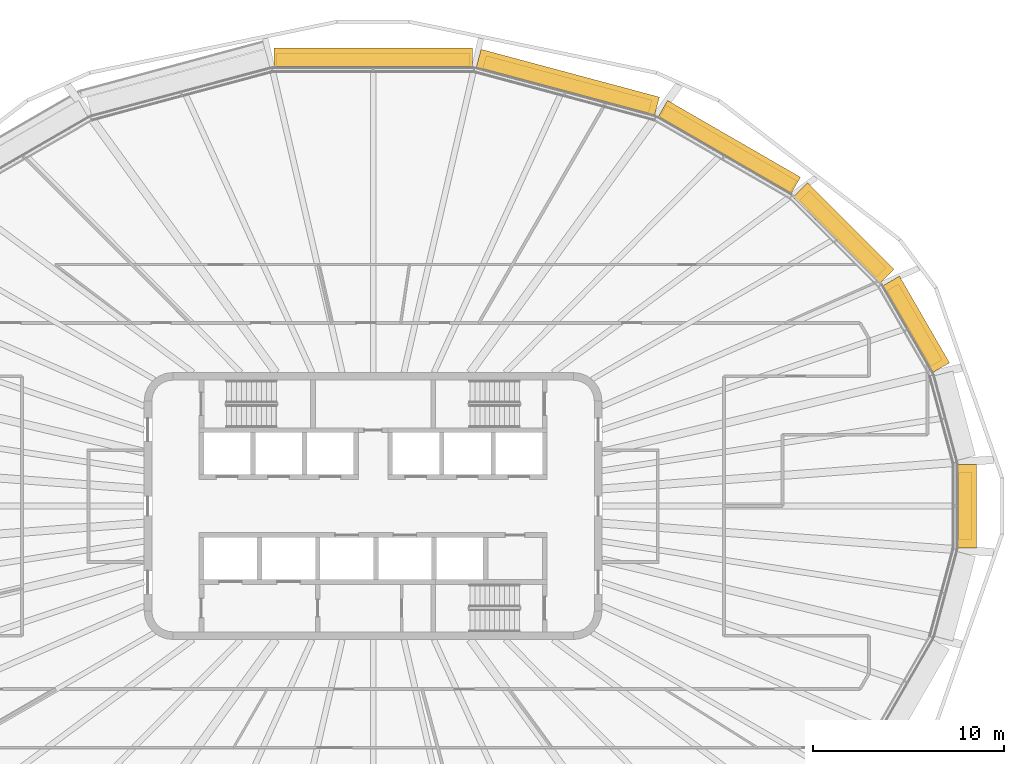
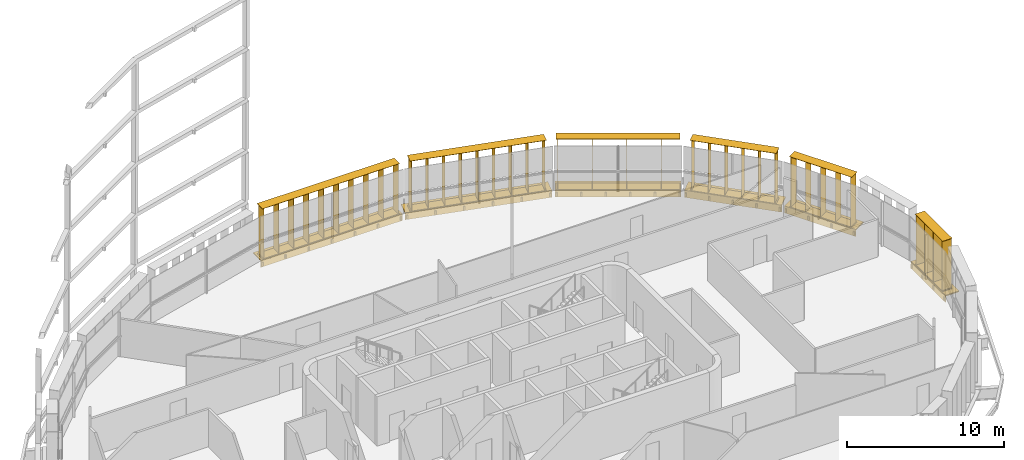
# One storey, part 20 of 20: 12 shading devices.
"""IFC4 building model written with IfcOpenShell, lengths in metres."""

from ifc_helpers import new_model, si_unit, direction, frame, origin, origin_2d, place, context, subcontext, project, spatial, rectangle, extrude, material, type_object, element, save


model = new_model("IFC4")

# Units and contexts
model_context = context("Model", 3, precision=1e-05, world=origin(), true_north=direction((0.0, 1.0)))
body_context = subcontext(model_context, "Body", "Model", "MODEL_VIEW")
ifc_project = project(units=[si_unit("LENGTHUNIT", "METRE"), si_unit("AREAUNIT", "SQUARE_METRE"), si_unit("VOLUMEUNIT", "CUBIC_METRE"), si_unit("PLANEANGLEUNIT", "RADIAN"), si_unit("MASSUNIT", "GRAM", prefix="KILO")], contexts=[model_context])

# Site, building, storey
site_placement = place(None, origin())
site = spatial("IfcSite", under=ifc_project, at=site_placement, CompositionType="ELEMENT")
building_placement = place(site_placement, origin())
building = spatial("IfcBuilding", under=site, at=building_placement, Name="Sahrelin Media Tower", CompositionType="ELEMENT")
storey_placement = place(building_placement, frame((0.0, 0.0, 213.60009765625)))
storey = spatial("IfcBuildingStorey", under=building, at=storey_placement, Name="L45", CompositionType="ELEMENT", Elevation=213.60009765625)

# Shading devices
ifc_material = material(Name="Champagne anodised aluminium 6063-T6", Category="aluminium")
shading_device_type_1 = type_object("IfcShadingDeviceType", Name="Fin cassette", PredefinedType="USERDEFINED", material=ifc_material)
placement_1 = place(storey_placement, frame((30.621826171875, 0.0, 0.0), z_axis=(0.0, 0.0, 1.0), x_axis=(0.0, -1.0, 0.0)))
element("IfcShadingDevice", 1, at=placement_1, inside=storey, type_object=shading_device_type_1, Name="L45:FIN:L45-00", ObjectType="FIN", PredefinedType="USERDEFINED", context=body_context, shape_type="SweptSolid", body=[
    extrude(rectangle(XDim=3.5, YDim=0.699951171875, at=origin_2d()), frame((0.0, 0.419921875, 0.0)), (0.0, 0.0, 1.0), 0.02001953125),
    extrude(rectangle(XDim=3.5, YDim=0.699951171875, at=origin_2d()), frame((0.0, 0.419921875, 3.89990234375)), (0.0, 0.0, 1.0), 0.02001953125),
    extrude(rectangle(XDim=0.02001953125, YDim=0.699951171875, at=origin_2d()), frame((-1.64990234375, 0.419921875, 0.010009765625), z_axis=(0.0, 0.0, 1.0), x_axis=(1.0, 0.0, 0.0)), (0.0, 0.0, 1.0), 3.89990234375),
    extrude(rectangle(XDim=0.02001953125, YDim=0.699951171875, at=origin_2d()), frame((-0.550048828125, 0.419921875, 0.010009765625), z_axis=(0.0, 0.0, 1.0), x_axis=(1.0, 0.0, 0.0)), (0.0, 0.0, 1.0), 3.89990234375),
    extrude(rectangle(XDim=0.02001953125, YDim=0.699951171875, at=origin_2d()), frame((0.550048828125, 0.419921875, 0.010009765625), z_axis=(0.0, 0.0, 1.0), x_axis=(1.0, 0.0, 0.0)), (0.0, 0.0, 1.0), 3.89990234375),
    extrude(rectangle(XDim=0.02001953125, YDim=0.699951171875, at=origin_2d()), frame((1.64990234375, 0.419921875, 0.010009765625), z_axis=(0.0, 0.0, 1.0), x_axis=(1.0, 0.0, 0.0)), (0.0, 0.0, 1.0), 3.89990234375),
])
placement_2 = place(storey_placement, frame((28.02197265625, 9.268310546875, 0.0), z_axis=(0.0, 0.0, 1.0), x_axis=(0.500011000363, -0.866019052629, 0.0)))
element("IfcShadingDevice", 2, at=placement_2, inside=storey, type_object=shading_device_type_1, Name="L45:FIN:L45-02", ObjectType="FIN", PredefinedType="USERDEFINED", context=body_context, shape_type="SweptSolid", body=[
    extrude(rectangle(XDim=4.60009765625, YDim=0.699951171875, at=origin_2d()), frame((0.0, 0.419921875, 0.0)), (0.0, 0.0, 1.0), 0.02001953125),
    extrude(rectangle(XDim=4.60009765625, YDim=0.699951171875, at=origin_2d()), frame((0.0, 0.419921875, 3.89990234375)), (0.0, 0.0, 1.0), 0.02001953125),
    extrude(rectangle(XDim=0.02001953125, YDim=0.699951171875, at=origin_2d()), frame((-2.199951171875, 0.419921875, 0.010009765625), z_axis=(0.0, 0.0, 1.0), x_axis=(1.0, 0.0, 0.0)), (0.0, 0.0, 1.0), 3.89990234375),
    extrude(rectangle(XDim=0.02001953125, YDim=0.699951171875, at=origin_2d()), frame((-1.10009765625, 0.419921875, 0.010009765625), z_axis=(0.0, 0.0, 1.0), x_axis=(1.0, 0.0, 0.0)), (0.0, 0.0, 1.0), 3.89990234375),
    extrude(rectangle(XDim=0.02001953125, YDim=0.699951171875, at=origin_2d()), frame((0.0, 0.419921875, 0.010009765625), z_axis=(0.0, 0.0, 1.0), x_axis=(1.0, 0.0, 0.0)), (0.0, 0.0, 1.0), 3.89990234375),
    extrude(rectangle(XDim=0.02001953125, YDim=0.699951171875, at=origin_2d()), frame((1.10009765625, 0.419921875, 0.010009765625), z_axis=(0.0, 0.0, 1.0), x_axis=(1.0, 0.0, 0.0)), (0.0, 0.0, 1.0), 3.89990234375),
    extrude(rectangle(XDim=0.02001953125, YDim=0.699951171875, at=origin_2d()), frame((2.199951171875, 0.419921875, 0.010009765625), z_axis=(0.0, 0.0, 1.0), x_axis=(1.0, 0.0, 0.0)), (0.0, 0.0, 1.0), 3.89990234375),
])
placement_3 = place(storey_placement, frame((24.32177734375, 13.96484375, 0.0), z_axis=(0.0, 0.0, 1.0), x_axis=(0.707106781187, -0.707106781187, 0.0)))
element("IfcShadingDevice", 3, at=placement_3, inside=storey, type_object=shading_device_type_1, Name="L45:FIN:L45-03", ObjectType="FIN", PredefinedType="USERDEFINED", context=body_context, shape_type="SweptSolid", body=[
    extrude(rectangle(XDim=5.699951171875, YDim=0.699951171875, at=origin_2d()), frame((0.0, 0.419921875, 0.0)), (0.0, 0.0, 1.0), 0.02001953125),
    extrude(rectangle(XDim=5.699951171875, YDim=0.699951171875, at=origin_2d()), frame((0.0, 0.419921875, 3.89990234375)), (0.0, 0.0, 1.0), 0.02001953125),
    extrude(rectangle(XDim=0.02001953125, YDim=0.699951171875, at=origin_2d()), frame((-2.75, 0.419921875, 0.010009765625), z_axis=(0.0, 0.0, 1.0), x_axis=(1.0, 0.0, 0.0)), (0.0, 0.0, 1.0), 3.89990234375),
    extrude(rectangle(XDim=0.02001953125, YDim=0.699951171875, at=origin_2d()), frame((-1.64990234375, 0.419921875, 0.010009765625), z_axis=(0.0, 0.0, 1.0), x_axis=(1.0, 0.0, 0.0)), (0.0, 0.0, 1.0), 3.89990234375),
    extrude(rectangle(XDim=0.02001953125, YDim=0.699951171875, at=origin_2d()), frame((-0.550048828125, 0.419921875, 0.010009765625), z_axis=(0.0, 0.0, 1.0), x_axis=(1.0, 0.0, 0.0)), (0.0, 0.0, 1.0), 3.89990234375),
    extrude(rectangle(XDim=0.02001953125, YDim=0.699951171875, at=origin_2d()), frame((0.550048828125, 0.419921875, 0.010009765625), z_axis=(0.0, 0.0, 1.0), x_axis=(1.0, 0.0, 0.0)), (0.0, 0.0, 1.0), 3.89990234375),
    extrude(rectangle(XDim=0.02001953125, YDim=0.699951171875, at=origin_2d()), frame((1.64990234375, 0.419921875, 0.010009765625), z_axis=(0.0, 0.0, 1.0), x_axis=(1.0, 0.0, 0.0)), (0.0, 0.0, 1.0), 3.89990234375),
    extrude(rectangle(XDim=0.02001953125, YDim=0.699951171875, at=origin_2d()), frame((2.75, 0.419921875, 0.010009765625), z_axis=(0.0, 0.0, 1.0), x_axis=(1.0, 0.0, 0.0)), (0.0, 0.0, 1.0), 3.89990234375),
])
placement_4 = place(storey_placement, frame((18.413330078125, 18.364501953125, 0.0), z_axis=(0.0, 0.0, 1.0), x_axis=(0.866019052629, -0.500011000363, 0.0)))
element("IfcShadingDevice", 4, at=placement_4, inside=storey, type_object=shading_device_type_1, Name="L45:FIN:L45-04", ObjectType="FIN", PredefinedType="USERDEFINED", context=body_context, shape_type="SweptSolid", body=[
    extrude(rectangle(XDim=7.89990234375, YDim=0.699951171875, at=origin_2d()), frame((0.0, 0.419921875, 0.0)), (0.0, 0.0, 1.0), 0.02001953125),
    extrude(rectangle(XDim=7.89990234375, YDim=0.699951171875, at=origin_2d()), frame((0.0, 0.419921875, 3.89990234375)), (0.0, 0.0, 1.0), 0.02001953125),
    extrude(rectangle(XDim=0.02001953125, YDim=0.699951171875, at=origin_2d()), frame((-3.85009765625, 0.419921875, 0.010009765625), z_axis=(0.0, 0.0, 1.0), x_axis=(1.0, 0.0, 0.0)), (0.0, 0.0, 1.0), 3.89990234375),
    extrude(rectangle(XDim=0.02001953125, YDim=0.699951171875, at=origin_2d()), frame((-2.75, 0.419921875, 0.010009765625), z_axis=(0.0, 0.0, 1.0), x_axis=(1.0, 0.0, 0.0)), (0.0, 0.0, 1.0), 3.89990234375),
    extrude(rectangle(XDim=0.02001953125, YDim=0.699951171875, at=origin_2d()), frame((-1.64990234375, 0.419921875, 0.010009765625), z_axis=(0.0, 0.0, 1.0), x_axis=(1.0, 0.0, 0.0)), (0.0, 0.0, 1.0), 3.89990234375),
    extrude(rectangle(XDim=0.02001953125, YDim=0.699951171875, at=origin_2d()), frame((-0.550048828125, 0.419921875, 0.010009765625), z_axis=(0.0, 0.0, 1.0), x_axis=(1.0, 0.0, 0.0)), (0.0, 0.0, 1.0), 3.89990234375),
    extrude(rectangle(XDim=0.02001953125, YDim=0.699951171875, at=origin_2d()), frame((0.550048828125, 0.419921875, 0.010009765625), z_axis=(0.0, 0.0, 1.0), x_axis=(1.0, 0.0, 0.0)), (0.0, 0.0, 1.0), 3.89990234375),
    extrude(rectangle(XDim=0.02001953125, YDim=0.699951171875, at=origin_2d()), frame((1.64990234375, 0.419921875, 0.010009765625), z_axis=(0.0, 0.0, 1.0), x_axis=(1.0, 0.0, 0.0)), (0.0, 0.0, 1.0), 3.89990234375),
    extrude(rectangle(XDim=0.02001953125, YDim=0.699951171875, at=origin_2d()), frame((2.75, 0.419921875, 0.010009765625), z_axis=(0.0, 0.0, 1.0), x_axis=(1.0, 0.0, 0.0)), (0.0, 0.0, 1.0), 3.89990234375),
    extrude(rectangle(XDim=0.02001953125, YDim=0.699951171875, at=origin_2d()), frame((3.85009765625, 0.419921875, 0.010009765625), z_axis=(0.0, 0.0, 1.0), x_axis=(1.0, 0.0, 0.0)), (0.0, 0.0, 1.0), 3.89990234375),
])
placement_5 = place(storey_placement, frame((10.072998046875, 21.703857421875, 0.0), z_axis=(0.0, 0.0, 1.0), x_axis=(0.965928857556, -0.258807731996, 0.0)))
element("IfcShadingDevice", 5, at=placement_5, inside=storey, type_object=shading_device_type_1, Name="L45:FIN:L45-05", ObjectType="FIN", PredefinedType="USERDEFINED", context=body_context, shape_type="SweptSolid", body=[
    extrude(rectangle(XDim=9.0, YDim=0.699951171875, at=origin_2d()), frame((0.0, 0.419921875, 0.0)), (0.0, 0.0, 1.0), 0.02001953125),
    extrude(rectangle(XDim=9.0, YDim=0.699951171875, at=origin_2d()), frame((0.0, 0.419921875, 3.89990234375)), (0.0, 0.0, 1.0), 0.02001953125),
    extrude(rectangle(XDim=0.02001953125, YDim=0.699951171875, at=origin_2d()), frame((-4.39990234375, 0.419921875, 0.010009765625), z_axis=(0.0, 0.0, 1.0), x_axis=(1.0, 0.0, 0.0)), (0.0, 0.0, 1.0), 3.89990234375),
    extrude(rectangle(XDim=0.02001953125, YDim=0.699951171875, at=origin_2d()), frame((-3.300048828125, 0.419921875, 0.010009765625), z_axis=(0.0, 0.0, 1.0), x_axis=(1.0, 0.0, 0.0)), (0.0, 0.0, 1.0), 3.89990234375),
    extrude(rectangle(XDim=0.02001953125, YDim=0.699951171875, at=origin_2d()), frame((-2.199951171875, 0.419921875, 0.010009765625), z_axis=(0.0, 0.0, 1.0), x_axis=(1.0, 0.0, 0.0)), (0.0, 0.0, 1.0), 3.89990234375),
    extrude(rectangle(XDim=0.02001953125, YDim=0.699951171875, at=origin_2d()), frame((-1.10009765625, 0.419921875, 0.010009765625), z_axis=(0.0, 0.0, 1.0), x_axis=(1.0, 0.0, 0.0)), (0.0, 0.0, 1.0), 3.89990234375),
    extrude(rectangle(XDim=0.02001953125, YDim=0.699951171875, at=origin_2d()), frame((0.0, 0.419921875, 0.010009765625), z_axis=(0.0, 0.0, 1.0), x_axis=(1.0, 0.0, 0.0)), (0.0, 0.0, 1.0), 3.89990234375),
    extrude(rectangle(XDim=0.02001953125, YDim=0.699951171875, at=origin_2d()), frame((1.10009765625, 0.419921875, 0.010009765625), z_axis=(0.0, 0.0, 1.0), x_axis=(1.0, 0.0, 0.0)), (0.0, 0.0, 1.0), 3.89990234375),
    extrude(rectangle(XDim=0.02001953125, YDim=0.699951171875, at=origin_2d()), frame((2.199951171875, 0.419921875, 0.010009765625), z_axis=(0.0, 0.0, 1.0), x_axis=(1.0, 0.0, 0.0)), (0.0, 0.0, 1.0), 3.89990234375),
    extrude(rectangle(XDim=0.02001953125, YDim=0.699951171875, at=origin_2d()), frame((3.300048828125, 0.419921875, 0.010009765625), z_axis=(0.0, 0.0, 1.0), x_axis=(1.0, 0.0, 0.0)), (0.0, 0.0, 1.0), 3.89990234375),
    extrude(rectangle(XDim=0.02001953125, YDim=0.699951171875, at=origin_2d()), frame((4.39990234375, 0.419921875, 0.010009765625), z_axis=(0.0, 0.0, 1.0), x_axis=(1.0, 0.0, 0.0)), (0.0, 0.0, 1.0), 3.89990234375),
])
placement_6 = place(storey_placement, frame((0.0, 22.982177734375, 0.0), z_axis=(0.0, 0.0, 1.0), x_axis=(1.0, 0.0, 0.0)))
element("IfcShadingDevice", 6, at=placement_6, inside=storey, type_object=shading_device_type_1, Name="L45:FIN:L45-06", ObjectType="FIN", PredefinedType="USERDEFINED", context=body_context, shape_type="SweptSolid", body=[
    extrude(rectangle(XDim=10.10009765625, YDim=0.699951171875, at=origin_2d()), frame((0.0, 0.419921875, 0.0)), (0.0, 0.0, 1.0), 0.02001953125),
    extrude(rectangle(XDim=10.10009765625, YDim=0.699951171875, at=origin_2d()), frame((0.0, 0.419921875, 3.89990234375)), (0.0, 0.0, 1.0), 0.02001953125),
    extrude(rectangle(XDim=0.02001953125, YDim=0.699951171875, at=origin_2d()), frame((-4.949951171875, 0.419921875, 0.010009765625), z_axis=(0.0, 0.0, 1.0), x_axis=(1.0, 0.0, 0.0)), (0.0, 0.0, 1.0), 3.89990234375),
    extrude(rectangle(XDim=0.02001953125, YDim=0.699951171875, at=origin_2d()), frame((-3.85009765625, 0.419921875, 0.010009765625), z_axis=(0.0, 0.0, 1.0), x_axis=(1.0, 0.0, 0.0)), (0.0, 0.0, 1.0), 3.89990234375),
    extrude(rectangle(XDim=0.02001953125, YDim=0.699951171875, at=origin_2d()), frame((-2.75, 0.419921875, 0.010009765625), z_axis=(0.0, 0.0, 1.0), x_axis=(1.0, 0.0, 0.0)), (0.0, 0.0, 1.0), 3.89990234375),
    extrude(rectangle(XDim=0.02001953125, YDim=0.699951171875, at=origin_2d()), frame((-1.64990234375, 0.419921875, 0.010009765625), z_axis=(0.0, 0.0, 1.0), x_axis=(1.0, 0.0, 0.0)), (0.0, 0.0, 1.0), 3.89990234375),
    extrude(rectangle(XDim=0.02001953125, YDim=0.699951171875, at=origin_2d()), frame((-0.550048828125, 0.419921875, 0.010009765625), z_axis=(0.0, 0.0, 1.0), x_axis=(1.0, 0.0, 0.0)), (0.0, 0.0, 1.0), 3.89990234375),
    extrude(rectangle(XDim=0.02001953125, YDim=0.699951171875, at=origin_2d()), frame((0.550048828125, 0.419921875, 0.010009765625), z_axis=(0.0, 0.0, 1.0), x_axis=(1.0, 0.0, 0.0)), (0.0, 0.0, 1.0), 3.89990234375),
    extrude(rectangle(XDim=0.02001953125, YDim=0.699951171875, at=origin_2d()), frame((1.64990234375, 0.419921875, 0.010009765625), z_axis=(0.0, 0.0, 1.0), x_axis=(1.0, 0.0, 0.0)), (0.0, 0.0, 1.0), 3.89990234375),
    extrude(rectangle(XDim=0.02001953125, YDim=0.699951171875, at=origin_2d()), frame((2.75, 0.419921875, 0.010009765625), z_axis=(0.0, 0.0, 1.0), x_axis=(1.0, 0.0, 0.0)), (0.0, 0.0, 1.0), 3.89990234375),
    extrude(rectangle(XDim=0.02001953125, YDim=0.699951171875, at=origin_2d()), frame((3.85009765625, 0.419921875, 0.010009765625), z_axis=(0.0, 0.0, 1.0), x_axis=(1.0, 0.0, 0.0)), (0.0, 0.0, 1.0), 3.89990234375),
    extrude(rectangle(XDim=0.02001953125, YDim=0.699951171875, at=origin_2d()), frame((4.949951171875, 0.419921875, 0.010009765625), z_axis=(0.0, 0.0, 1.0), x_axis=(1.0, 0.0, 0.0)), (0.0, 0.0, 1.0), 3.89990234375),
])
shading_device_type_2 = type_object("IfcShadingDeviceType", Name="Sunshade band", PredefinedType="USERDEFINED", material=ifc_material)
element("IfcShadingDevice", 7, at=placement_1, inside=storey, type_object=shading_device_type_2, Name="L45:SUN:L45-00", ObjectType="SUNSHADE", PredefinedType="USERDEFINED", context=body_context, shape_type="SweptSolid", body=[
    extrude(rectangle(XDim=4.3759765625, YDim=0.050048828125, at=origin_2d()), frame((0.0, 0.044921875, -0.55126953125)), (0.0, 0.0, 1.0), 0.471435546875),
    extrude(rectangle(XDim=4.3759765625, YDim=1.0, at=origin_2d()), frame((0.0, 0.52001953125, -0.080078125)), (0.0, 0.0, 1.0), 0.080078125),
    extrude(rectangle(XDim=0.10009765625, YDim=0.074951171875, at=origin_2d()), frame((-2.087890625, -0.017578125, -0.47021484375)), (0.0, 0.0, 1.0), 0.300048828125),
    extrude(rectangle(XDim=0.10009765625, YDim=0.074951171875, at=origin_2d()), frame((-0.696044921875, -0.017578125, -0.47021484375)), (0.0, 0.0, 1.0), 0.300048828125),
    extrude(rectangle(XDim=0.10009765625, YDim=0.074951171875, at=origin_2d()), frame((0.696044921875, -0.017578125, -0.47021484375)), (0.0, 0.0, 1.0), 0.300048828125),
    extrude(rectangle(XDim=0.10009765625, YDim=0.074951171875, at=origin_2d()), frame((2.087890625, -0.017578125, -0.47021484375)), (0.0, 0.0, 1.0), 0.300048828125),
])
element("IfcShadingDevice", 8, at=placement_2, inside=storey, type_object=shading_device_type_2, Name="L45:SUN:L45-02", ObjectType="SUNSHADE", PredefinedType="USERDEFINED", context=body_context, shape_type="SweptSolid", body=[
    extrude(rectangle(XDim=5.2451171875, YDim=0.050048828125, at=origin_2d()), frame((0.0, 0.044921875, -0.55126953125)), (0.0, 0.0, 1.0), 0.471435546875),
    extrude(rectangle(XDim=5.2451171875, YDim=1.0, at=origin_2d()), frame((0.0, 0.52001953125, -0.080078125)), (0.0, 0.0, 1.0), 0.080078125),
    extrude(rectangle(XDim=0.10009765625, YDim=0.074951171875, at=origin_2d()), frame((-2.522705078125, -0.017578125, -0.47021484375)), (0.0, 0.0, 1.0), 0.300048828125),
    extrude(rectangle(XDim=0.10009765625, YDim=0.074951171875, at=origin_2d()), frame((-0.8408203125, -0.017578125, -0.47021484375)), (0.0, 0.0, 1.0), 0.300048828125),
    extrude(rectangle(XDim=0.10009765625, YDim=0.074951171875, at=origin_2d()), frame((0.8408203125, -0.017578125, -0.47021484375)), (0.0, 0.0, 1.0), 0.300048828125),
    extrude(rectangle(XDim=0.10009765625, YDim=0.074951171875, at=origin_2d()), frame((2.522705078125, -0.017578125, -0.47021484375)), (0.0, 0.0, 1.0), 0.300048828125),
])
element("IfcShadingDevice", 9, at=placement_3, inside=storey, type_object=shading_device_type_2, Name="L45:SUN:L45-03", ObjectType="SUNSHADE", PredefinedType="USERDEFINED", context=body_context, shape_type="SweptSolid", body=[
    extrude(rectangle(XDim=6.4150390625, YDim=0.050048828125, at=origin_2d()), frame((0.0, 0.044921875, -0.55126953125)), (0.0, 0.0, 1.0), 0.471435546875),
    extrude(rectangle(XDim=6.4150390625, YDim=1.0, at=origin_2d()), frame((0.0, 0.52001953125, -0.080078125)), (0.0, 0.0, 1.0), 0.080078125),
    extrude(rectangle(XDim=0.10009765625, YDim=0.074951171875, at=origin_2d()), frame((-3.107421875, -0.017578125, -0.47021484375)), (0.0, 0.0, 1.0), 0.300048828125),
    extrude(rectangle(XDim=0.10009765625, YDim=0.074951171875, at=origin_2d()), frame((-1.5537109375, -0.017578125, -0.47021484375)), (0.0, 0.0, 1.0), 0.300048828125),
    extrude(rectangle(XDim=0.10009765625, YDim=0.074951171875, at=origin_2d()), frame((0.0, -0.017578125, -0.47021484375)), (0.0, 0.0, 1.0), 0.300048828125),
    extrude(rectangle(XDim=0.10009765625, YDim=0.074951171875, at=origin_2d()), frame((1.5537109375, -0.017578125, -0.47021484375)), (0.0, 0.0, 1.0), 0.300048828125),
    extrude(rectangle(XDim=0.10009765625, YDim=0.074951171875, at=origin_2d()), frame((3.107421875, -0.017578125, -0.47021484375)), (0.0, 0.0, 1.0), 0.300048828125),
])
element("IfcShadingDevice", 10, at=placement_4, inside=storey, type_object=shading_device_type_2, Name="L45:SUN:L45-04", ObjectType="SUNSHADE", PredefinedType="USERDEFINED", context=body_context, shape_type="SweptSolid", body=[
    extrude(rectangle(XDim=8.043701171875, YDim=0.050048828125, at=origin_2d()), frame((0.0, 0.044921875, -0.55126953125)), (0.0, 0.0, 1.0), 0.471435546875),
    extrude(rectangle(XDim=8.043701171875, YDim=1.0, at=origin_2d()), frame((0.0, 0.52001953125, -0.080078125)), (0.0, 0.0, 1.0), 0.080078125),
    extrude(rectangle(XDim=0.10009765625, YDim=0.074951171875, at=origin_2d()), frame((-3.921875, -0.017578125, -0.47021484375)), (0.0, 0.0, 1.0), 0.300048828125),
    extrude(rectangle(XDim=0.10009765625, YDim=0.074951171875, at=origin_2d()), frame((-2.35302734375, -0.017578125, -0.47021484375)), (0.0, 0.0, 1.0), 0.300048828125),
    extrude(rectangle(XDim=0.10009765625, YDim=0.074951171875, at=origin_2d()), frame((-0.784423828125, -0.017578125, -0.47021484375)), (0.0, 0.0, 1.0), 0.300048828125),
    extrude(rectangle(XDim=0.10009765625, YDim=0.074951171875, at=origin_2d()), frame((0.784423828125, -0.017578125, -0.47021484375)), (0.0, 0.0, 1.0), 0.300048828125),
    extrude(rectangle(XDim=0.10009765625, YDim=0.074951171875, at=origin_2d()), frame((2.35302734375, -0.017578125, -0.47021484375)), (0.0, 0.0, 1.0), 0.300048828125),
    extrude(rectangle(XDim=0.10009765625, YDim=0.074951171875, at=origin_2d()), frame((3.921875, -0.017578125, -0.47021484375)), (0.0, 0.0, 1.0), 0.300048828125),
])
element("IfcShadingDevice", 11, at=placement_5, inside=storey, type_object=shading_device_type_2, Name="L45:SUN:L45-05", ObjectType="SUNSHADE", PredefinedType="USERDEFINED", context=body_context, shape_type="SweptSolid", body=[
    extrude(rectangle(XDim=9.677978515625, YDim=0.050048828125, at=origin_2d()), frame((0.0, 0.044921875, -0.55126953125)), (0.0, 0.0, 1.0), 0.471435546875),
    extrude(rectangle(XDim=9.677978515625, YDim=1.0, at=origin_2d()), frame((0.0, 0.52001953125, -0.080078125)), (0.0, 0.0, 1.0), 0.080078125),
    extrude(rectangle(XDim=0.10009765625, YDim=0.074951171875, at=origin_2d()), frame((-4.739013671875, -0.017578125, -0.47021484375)), (0.0, 0.0, 1.0), 0.300048828125),
    extrude(rectangle(XDim=0.10009765625, YDim=0.074951171875, at=origin_2d()), frame((-2.843505859375, -0.017578125, -0.47021484375)), (0.0, 0.0, 1.0), 0.300048828125),
    extrude(rectangle(XDim=0.10009765625, YDim=0.074951171875, at=origin_2d()), frame((-0.94775390625, -0.017578125, -0.47021484375)), (0.0, 0.0, 1.0), 0.300048828125),
    extrude(rectangle(XDim=0.10009765625, YDim=0.074951171875, at=origin_2d()), frame((0.94775390625, -0.017578125, -0.47021484375)), (0.0, 0.0, 1.0), 0.300048828125),
    extrude(rectangle(XDim=0.10009765625, YDim=0.074951171875, at=origin_2d()), frame((2.843505859375, -0.017578125, -0.47021484375)), (0.0, 0.0, 1.0), 0.300048828125),
    extrude(rectangle(XDim=0.10009765625, YDim=0.074951171875, at=origin_2d()), frame((4.739013671875, -0.017578125, -0.47021484375)), (0.0, 0.0, 1.0), 0.300048828125),
])
element("IfcShadingDevice", 12, at=placement_6, inside=storey, type_object=shading_device_type_2, Name="L45:SUN:L45-06", ObjectType="SUNSHADE", PredefinedType="USERDEFINED", context=body_context, shape_type="SweptSolid", body=[
    extrude(rectangle(XDim=10.40478515625, YDim=0.050048828125, at=origin_2d()), frame((0.0, 0.044921875, -0.55126953125)), (0.0, 0.0, 1.0), 0.471435546875),
    extrude(rectangle(XDim=10.40478515625, YDim=1.0, at=origin_2d()), frame((0.0, 0.52001953125, -0.080078125)), (0.0, 0.0, 1.0), 0.080078125),
    extrude(rectangle(XDim=0.10009765625, YDim=0.074951171875, at=origin_2d()), frame((-5.102294921875, -0.017578125, -0.47021484375)), (0.0, 0.0, 1.0), 0.300048828125),
    extrude(rectangle(XDim=0.10009765625, YDim=0.074951171875, at=origin_2d()), frame((-3.401611328125, -0.017578125, -0.47021484375)), (0.0, 0.0, 1.0), 0.300048828125),
    extrude(rectangle(XDim=0.10009765625, YDim=0.074951171875, at=origin_2d()), frame((-1.70068359375, -0.017578125, -0.47021484375)), (0.0, 0.0, 1.0), 0.300048828125),
    extrude(rectangle(XDim=0.10009765625, YDim=0.074951171875, at=origin_2d()), frame((0.0, -0.017578125, -0.47021484375)), (0.0, 0.0, 1.0), 0.300048828125),
    extrude(rectangle(XDim=0.10009765625, YDim=0.074951171875, at=origin_2d()), frame((1.70068359375, -0.017578125, -0.47021484375)), (0.0, 0.0, 1.0), 0.300048828125),
    extrude(rectangle(XDim=0.10009765625, YDim=0.074951171875, at=origin_2d()), frame((3.401611328125, -0.017578125, -0.47021484375)), (0.0, 0.0, 1.0), 0.300048828125),
    extrude(rectangle(XDim=0.10009765625, YDim=0.074951171875, at=origin_2d()), frame((5.102294921875, -0.017578125, -0.47021484375)), (0.0, 0.0, 1.0), 0.300048828125),
])

save(model, "model.ifc")
